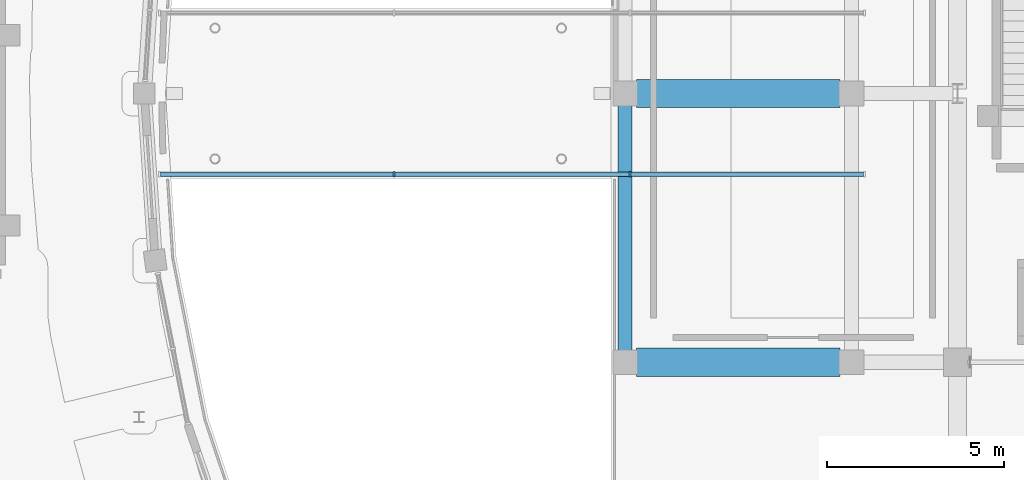
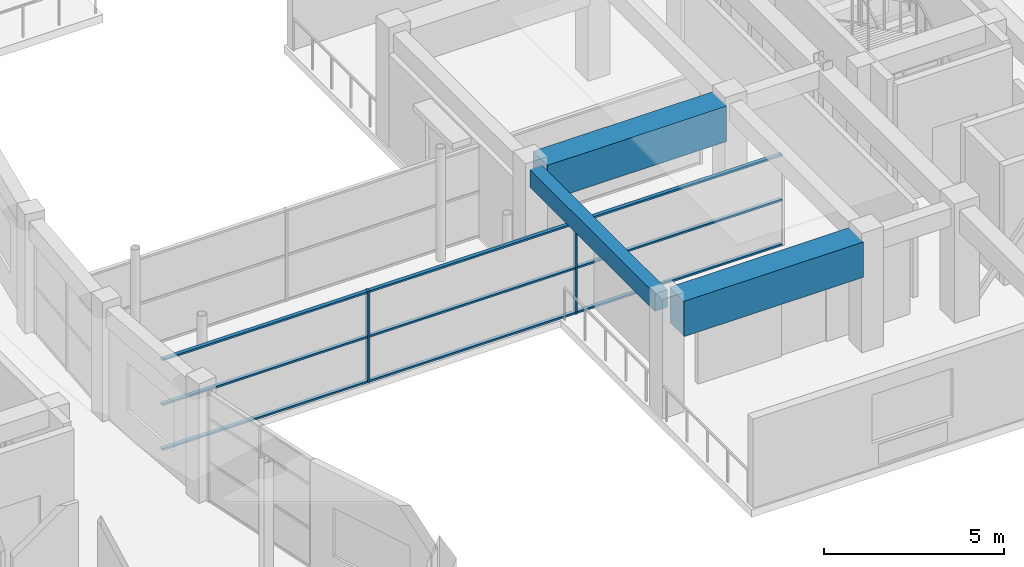
# One storey, part 18 of 70: 11 members, 3 beams, 1 element without a shape of its own.
"""IFC4 building model written with IfcOpenShell, lengths in metres."""

import ifcopenshell
import ifcopenshell.guid

model = None  # the IFC model being written
_history = None  # IfcOwnerHistory: only IFC2X3 demands one
_inside = {}  # id of a spatial element -> (the spatial element, [elements in it])
_under = {}  # id of a project, library or spatial element -> (it, [spatial elements below it])
_declared = {}  # id of a project -> (the project, [libraries it declares])
_typed = {}  # id of a type object -> (the type object, [elements of that type])
_made_of = {}  # id of a material, layer set ... -> (it, [elements and type objects made of it])


def new_model(schema):
    """Start an empty IFC model of exactly this schema.

    Asked for "IFC4X3", IfcOpenShell would pick the latest addendum, in which some entities
    have other attributes; the version numbers below select the first issue.
    IFC2X3 requires an IfcOwnerHistory on every rooted entity: one is made here for all.
    """
    global model, _history
    if schema == "IFC4X3":
        model = ifcopenshell.file(schema_version=(4, 3, 0, 0))
    else:
        model = ifcopenshell.file(schema=schema)
    _inside.clear()
    _under.clear()
    _declared.clear()
    _typed.clear()
    _made_of.clear()
    _history = None
    if model.schema == "IFC2X3":
        org = make("IfcOrganization", Name="unknown")
        user = make(
            "IfcPersonAndOrganization",
            ThePerson=make("IfcPerson", FamilyName="unknown"),
            TheOrganization=org,
        )
        app = make(
            "IfcApplication",
            ApplicationDeveloper=org,
            Version="unknown",
            ApplicationFullName="unknown",
            ApplicationIdentifier="unknown",
        )
        _history = make(
            "IfcOwnerHistory",
            OwningUser=user,
            OwningApplication=app,
            ChangeAction="ADDED",
            CreationDate=0,
        )
    return model


def make(cls, **values):
    """One entity of the class cls with the attributes given. An attribute that is None is left unset."""
    return model.create_entity(
        cls, **{name: value for name, value in values.items() if value is not None}
    )


def rooted(cls, **values):
    """An entity with a GlobalId (a new one), such as an element, a storey or a relation."""
    return make(cls, GlobalId=ifcopenshell.guid.new(), OwnerHistory=_history, **values)


def si_unit(unit_type, name, prefix=None):
    """IfcSIUnit, for example si_unit("LENGTHUNIT", "METRE", prefix="MILLI")."""
    return make("IfcSIUnit", UnitType=unit_type, Prefix=prefix, Name=name)


def assignment(units):
    """IfcUnitAssignment: the units of a project."""
    return None if units is None else make("IfcUnitAssignment", Units=units)


def point(xyz):
    """IfcCartesianPoint."""
    return None if xyz is None else make("IfcCartesianPoint", Coordinates=xyz)


def direction(xyz):
    """IfcDirection."""
    return None if xyz is None else make("IfcDirection", DirectionRatios=xyz)


def frame(location, z_axis=None, x_axis=None):
    """IfcAxis2Placement3D, a coordinate frame: its origin and axes. An axis left out is left unset."""
    return make(
        "IfcAxis2Placement3D",
        Location=point(location),
        Axis=direction(z_axis),
        RefDirection=direction(x_axis),
    )


def frame_2d(location, x_axis=None):
    """IfcAxis2Placement2D, a coordinate frame in the plane: its origin and x axis."""
    return make(
        "IfcAxis2Placement2D", Location=point(location), RefDirection=direction(x_axis)
    )


def origin():
    """The frame at (0, 0, 0) with its axes left unset."""
    return frame((0.0, 0.0, 0.0))


def origin_2d():
    """The frame at (0, 0) in the plane with its x axis left unset."""
    return frame_2d((0.0, 0.0))


def place(relative_to, where):
    """IfcLocalPlacement: puts the frame where relative to a parent placement (None: the world)."""
    return make(
        "IfcLocalPlacement", PlacementRelTo=relative_to, RelativePlacement=where
    )


def context(
    kind, dimensions, precision=None, world=None, true_north=None, identifier=None
):
    """IfcGeometricRepresentationContext, for example the 3D "Model" context."""
    return make(
        "IfcGeometricRepresentationContext",
        ContextIdentifier=identifier,
        ContextType=kind,
        CoordinateSpaceDimension=dimensions,
        Precision=precision,
        WorldCoordinateSystem=world,
        TrueNorth=true_north,
    )


def subcontext(parent, identifier, kind, view, scale=None):
    """IfcGeometricRepresentationSubContext, for example "Body" below "Model"."""
    return make(
        "IfcGeometricRepresentationSubContext",
        ContextIdentifier=identifier,
        ContextType=kind,
        ParentContext=parent,
        TargetScale=scale,
        TargetView=view,
    )


def project(units=None, contexts=None):
    """IfcProject with its units and contexts."""
    return rooted(
        "IfcProject",
        Name="project",
        RepresentationContexts=contexts,
        UnitsInContext=assignment(units),
    )


def spatial(cls, under=None, at=None, **own):
    """A site, building, storey or space (cls), placed at a placement, below another one or the project."""
    s = rooted(cls, ObjectPlacement=at, **own)
    if under is not None:
        _under.setdefault(under.id(), (under, []))[1].append(s)
    return s


def profile(cls, at=None, kind="AREA", **sizes):
    """A parametric profile (cls). Its sizes go by their IFC names, for example OverallWidth=200.0."""
    return make(cls, ProfileType=kind, Position=at, **sizes)


def rectangle(**sizes):
    """IfcRectangleProfileDef."""
    return profile("IfcRectangleProfileDef", **sizes)


def extrude(swept, where, along, depth):
    """IfcExtrudedAreaSolid: the profile swept, set in the frame where, extruded along a direction by depth."""
    return make(
        "IfcExtrudedAreaSolid",
        SweptArea=swept,
        Position=where,
        ExtrudedDirection=direction(along),
        Depth=depth,
    )


def shape(context_of_items, identifier, shape_type, items):
    """IfcShapeRepresentation: the items that make up one representation, for example the "Body"."""
    return make(
        "IfcShapeRepresentation",
        ContextOfItems=context_of_items,
        RepresentationIdentifier=identifier,
        RepresentationType=shape_type,
        Items=items,
    )


def material(Name=None, Category=None):
    """IfcMaterial."""
    return make("IfcMaterial", Name=Name, Category=Category)


def material_profile(
    of_material, cross_section, Name=None, Category=None, Priority=None
):
    """IfcMaterialProfile: a cross section and its material."""
    return make(
        "IfcMaterialProfile",
        Name=Name,
        Material=of_material,
        Profile=cross_section,
        Priority=Priority,
        Category=Category,
    )


def profile_set(profiles, Name=None, composite=None):
    """IfcMaterialProfileSet."""
    return make(
        "IfcMaterialProfileSet",
        Name=Name,
        MaterialProfiles=profiles,
        CompositeProfile=composite,
    )


def made_of(thing, what):
    """Note that an element or type object is made of a material, layer set ...; save() writes the relation."""
    if what is not None:
        _made_of.setdefault(what.id(), (what, []))[1].append(thing)
    return thing


def type_object(cls, material=None, **own):
    """A type object (cls), such as IfcWallType, which elements share."""
    return made_of(rooted(cls, **own), material)


def element(
    cls,
    number,
    at=None,
    inside=None,
    cuts=None,
    type_object=None,
    material=None,
    context=None,
    identifier="Body",
    shape_type=None,
    held_by="IfcProductDefinitionShape",
    body=None,
    shapes=None,
    **own,
):
    """One element of the class cls, such as IfcWall. Its Tag is "e" and its number.

    at: its placement. inside: the storey or other place that contains it. cuts: it is an
    opening in that element (IfcRelVoidsElement). A single representation is given by context,
    identifier, shape_type and body (its items); several are given by shapes. held_by: the class
    of the entity that holds the representations. save() writes the other relations.
    """
    e = rooted(cls, Tag="e%d" % number, ObjectPlacement=at, **own)
    if body is not None:
        shapes = [shape(context, identifier, shape_type, body)]
    if shapes is not None:
        e.Representation = make(held_by, Representations=shapes)
    if inside is not None:
        _inside.setdefault(inside.id(), (inside, []))[1].append(e)
    if cuts is not None:
        rooted(
            "IfcRelVoidsElement", RelatingBuildingElement=cuts, RelatedOpeningElement=e
        )
    if type_object is not None:
        _typed.setdefault(type_object.id(), (type_object, []))[1].append(e)
    return made_of(e, material)


def aggregate(whole, parts):
    """IfcRelAggregates: a whole, such as a stair, and the parts it consists of."""
    return rooted("IfcRelAggregates", RelatingObject=whole, RelatedObjects=parts)


def save(model, path):
    """Write the relations noted so far, then the file.

    IfcRelAggregates (storeys below a building ...), IfcRelContainedInSpatialStructure (elements
    in a storey), IfcRelDefinesByType, IfcRelAssociatesMaterial and IfcRelDeclares: one each for
    every whole, place, type object, material and project.
    """
    for whole, parts in _under.values():
        aggregate(whole, parts)
    for where, things in _inside.values():
        rooted(
            "IfcRelContainedInSpatialStructure",
            RelatedElements=things,
            RelatingStructure=where,
        )
    for kind, things in _typed.values():
        rooted("IfcRelDefinesByType", RelatedObjects=things, RelatingType=kind)
    for what, things in _made_of.values():
        rooted("IfcRelAssociatesMaterial", RelatedObjects=things, RelatingMaterial=what)
    for by, libraries in _declared.values():
        rooted("IfcRelDeclares", RelatingContext=by, RelatedDefinitions=libraries)
    model.write(path)


model = new_model("IFC4")

# Units and contexts
model_context = context("Model", 3, precision=1e-05, world=origin(), true_north=direction((0.0, 1.0)))
body_context = subcontext(model_context, "Body", "Model", "MODEL_VIEW")
ifc_project = project(units=[si_unit("LENGTHUNIT", "METRE"), si_unit("AREAUNIT", "SQUARE_METRE"), si_unit("VOLUMEUNIT", "CUBIC_METRE"), si_unit("PLANEANGLEUNIT", "RADIAN"), si_unit("MASSUNIT", "GRAM", prefix="KILO")], contexts=[model_context])

# Site, building, storey
site_placement = place(None, origin())
site = spatial("IfcSite", under=ifc_project, at=site_placement, CompositionType="ELEMENT")
building_placement = place(site_placement, origin())
building = spatial("IfcBuilding", under=site, at=building_placement, Name="Saryqyr Civic Hall", CompositionType="ELEMENT")
storey_placement = place(building_placement, frame((0.0, 0.0, 13.199951171875)))
storey = spatial("IfcBuildingStorey", under=building, at=storey_placement, Name="L03", CompositionType="ELEMENT", Elevation=13.199951171875)

# Curtain wall, members
ifc_material_1 = material(Name="Anodised aluminium and triple low-E glass", Category="aluminium")
curtain_wall_type = type_object("IfcCurtainWallType", Name="ENV-CW-STD-86", PredefinedType="NOTDEFINED", material=ifc_material_1)
curtain_wall_placement = place(storey_placement, origin())
curtain_wall = element("IfcCurtainWall", 1, at=curtain_wall_placement, inside=storey, type_object=curtain_wall_type, Name="Curtain wall BR-CW-CW1-L03", PredefinedType="NOTDEFINED")
ifc_material_2 = material(Name="Anodised aluminium", Category="aluminium")
ifc_material_profile_1 = material_profile(ifc_material_2, rectangle(XDim=0.06005859375, YDim=0.159912109375, at=origin_2d()), Name="ALU MULLION 60x160")
ifc_profile_set_1 = profile_set([ifc_material_profile_1], Name="Anodised aluminium")
member_type_1 = type_object("IfcMemberType", Name="ENV-CW-MUL-180", PredefinedType="MULLION", material=ifc_profile_set_1)
member_1_placement = place(storey_placement, frame((34.533447265625, 81.719970703125, 0.0), z_axis=(0.0, 0.0, 1.0), x_axis=(-1.0, 0.0, 0.0)))
member_1 = element("IfcMember", 2, at=member_1_placement, type_object=member_type_1, Name="CW-86 mullion 2", PredefinedType="MULLION", context=body_context, shape_type="SweptSolid", body=[
    extrude(rectangle(XDim=0.06005859375, YDim=0.159912109375, at=origin_2d()), origin(), (0.0, 0.0, 1.0), 3.10009765625),
])
member_2_placement = place(storey_placement, frame((27.86669921875, 81.719970703125, 0.0), z_axis=(0.0, 0.0, 1.0), x_axis=(-1.0, 0.0, 0.0)))
member_2 = element("IfcMember", 3, at=member_2_placement, type_object=member_type_1, Name="CW-86 mullion 3", PredefinedType="MULLION", context=body_context, shape_type="SweptSolid", body=[
    extrude(rectangle(XDim=0.06005859375, YDim=0.159912109375, at=origin_2d()), origin(), (0.0, 0.0, 1.0), 3.10009765625),
])
ifc_material_profile_2 = material_profile(ifc_material_2, rectangle(XDim=0.1201171875, YDim=0.06005859375, at=origin_2d()), Name="ALU TRANSOM 120x60")
ifc_profile_set_2 = profile_set([ifc_material_profile_2], Name="Anodised aluminium")
member_type_2 = type_object("IfcMemberType", Name="ENV-CW-TRN-150", PredefinedType="USERDEFINED", material=ifc_profile_set_2)
member_3_placement = place(storey_placement, frame((41.139892578125, 81.719970703125, 0.030029296875), z_axis=(-1.0, 0.0, 0.0), x_axis=(0.0, -1.0, 0.0)))
member_3 = element("IfcMember", 4, at=member_3_placement, type_object=member_type_2, Name="CW-86 transom 1.1", ObjectType="TRANSOM", PredefinedType="USERDEFINED", context=body_context, shape_type="SweptSolid", body=[
    extrude(rectangle(XDim=0.1201171875, YDim=0.06005859375, at=origin_2d()), origin(), (0.0, 0.0, 1.0), 6.57666015625),
])
member_4_placement = place(storey_placement, frame((41.139892578125, 81.719970703125, 1.550048828125), z_axis=(-1.0, 0.0, 0.0), x_axis=(0.0, -1.0, 0.0)))
member_4 = element("IfcMember", 5, at=member_4_placement, type_object=member_type_2, Name="CW-86 transom 1.2", ObjectType="TRANSOM", PredefinedType="USERDEFINED", context=body_context, shape_type="SweptSolid", body=[
    extrude(rectangle(XDim=0.1201171875, YDim=0.06005859375, at=origin_2d()), origin(), (0.0, 0.0, 1.0), 6.57666015625),
])
member_5_placement = place(storey_placement, frame((41.139892578125, 81.719970703125, 3.070068359375), z_axis=(-1.0, 0.0, 0.0), x_axis=(0.0, -1.0, 0.0)))
member_5 = element("IfcMember", 6, at=member_5_placement, type_object=member_type_2, Name="CW-86 transom 1.3", ObjectType="TRANSOM", PredefinedType="USERDEFINED", context=body_context, shape_type="SweptSolid", body=[
    extrude(rectangle(XDim=0.1201171875, YDim=0.06005859375, at=origin_2d()), origin(), (0.0, 0.0, 1.0), 6.57666015625),
])
member_6_placement = place(storey_placement, frame((34.50341796875, 81.719970703125, 0.030029296875), z_axis=(-1.0, 0.0, 0.0), x_axis=(0.0, -1.0, 0.0)))
member_6 = element("IfcMember", 7, at=member_6_placement, type_object=member_type_2, Name="CW-86 transom 2.1", ObjectType="TRANSOM", PredefinedType="USERDEFINED", context=body_context, shape_type="SweptSolid", body=[
    extrude(rectangle(XDim=0.1201171875, YDim=0.06005859375, at=origin_2d()), origin(), (0.0, 0.0, 1.0), 6.606689453125),
])
member_7_placement = place(storey_placement, frame((34.50341796875, 81.719970703125, 1.550048828125), z_axis=(-1.0, 0.0, 0.0), x_axis=(0.0, -1.0, 0.0)))
member_7 = element("IfcMember", 8, at=member_7_placement, type_object=member_type_2, Name="CW-86 transom 2.2", ObjectType="TRANSOM", PredefinedType="USERDEFINED", context=body_context, shape_type="SweptSolid", body=[
    extrude(rectangle(XDim=0.1201171875, YDim=0.06005859375, at=origin_2d()), origin(), (0.0, 0.0, 1.0), 6.606689453125),
])
member_8_placement = place(storey_placement, frame((34.50341796875, 81.719970703125, 3.070068359375), z_axis=(-1.0, 0.0, 0.0), x_axis=(0.0, -1.0, 0.0)))
member_8 = element("IfcMember", 9, at=member_8_placement, type_object=member_type_2, Name="CW-86 transom 2.3", ObjectType="TRANSOM", PredefinedType="USERDEFINED", context=body_context, shape_type="SweptSolid", body=[
    extrude(rectangle(XDim=0.1201171875, YDim=0.06005859375, at=origin_2d()), origin(), (0.0, 0.0, 1.0), 6.606689453125),
])
member_9_placement = place(storey_placement, frame((27.836669921875, 81.719970703125, 0.030029296875), z_axis=(-1.0, 0.0, 0.0), x_axis=(0.0, -1.0, 0.0)))
member_9 = element("IfcMember", 10, at=member_9_placement, type_object=member_type_2, Name="CW-86 transom 3.1", ObjectType="TRANSOM", PredefinedType="USERDEFINED", context=body_context, shape_type="SweptSolid", body=[
    extrude(rectangle(XDim=0.1201171875, YDim=0.06005859375, at=origin_2d()), origin(), (0.0, 0.0, 1.0), 6.57666015625),
])
member_10_placement = place(storey_placement, frame((27.836669921875, 81.719970703125, 1.550048828125), z_axis=(-1.0, 0.0, 0.0), x_axis=(0.0, -1.0, 0.0)))
member_10 = element("IfcMember", 11, at=member_10_placement, type_object=member_type_2, Name="CW-86 transom 3.2", ObjectType="TRANSOM", PredefinedType="USERDEFINED", context=body_context, shape_type="SweptSolid", body=[
    extrude(rectangle(XDim=0.1201171875, YDim=0.06005859375, at=origin_2d()), origin(), (0.0, 0.0, 1.0), 6.57666015625),
])
member_11_placement = place(storey_placement, frame((27.836669921875, 81.719970703125, 3.070068359375), z_axis=(-1.0, 0.0, 0.0), x_axis=(0.0, -1.0, 0.0)))
member_11 = element("IfcMember", 12, at=member_11_placement, type_object=member_type_2, Name="CW-86 transom 3.3", ObjectType="TRANSOM", PredefinedType="USERDEFINED", context=body_context, shape_type="SweptSolid", body=[
    extrude(rectangle(XDim=0.1201171875, YDim=0.06005859375, at=origin_2d()), origin(), (0.0, 0.0, 1.0), 6.57666015625),
])
aggregate(curtain_wall, [member_1, member_2, member_3, member_4, member_5, member_6, member_7, member_8, member_9, member_10, member_11])

# Beams
ifc_material_3 = material(Name="Concrete C35/45", Category="concrete")
ifc_material_profile_3 = material_profile(ifc_material_3, rectangle(XDim=0.39990234375, YDim=0.60009765625, at=origin_2d()), Name="RC 400x600")
ifc_profile_set_3 = profile_set([ifc_material_profile_3], Name="Concrete C35/45")
beam_type_1 = type_object("IfcBeamType", Name="STR-BM-RC400x600", PredefinedType="BEAM", material=ifc_profile_set_3)
beam_placement = place(storey_placement, frame((34.39990234375, 76.72509765625, 3.489990234375), z_axis=(0.0, 1.0, 0.0), x_axis=(-1.0, 0.0, 0.0)))
element("IfcBeam", 13, at=beam_placement, inside=storey, type_object=beam_type_1, Name="Beam V1-TBM-01-L03", PredefinedType="BEAM", context=body_context, shape_type="SweptSolid", body=[
    extrude(rectangle(XDim=0.39990234375, YDim=0.60009765625, at=origin_2d()), origin(), (0.0, 0.0, 1.0), 6.949951171875),
])
ifc_material_4 = material(Name="Concrete C40/50", Category="concrete")
ifc_material_profile_4 = material_profile(ifc_material_4, rectangle(XDim=0.800048828125, YDim=1.199951171875, at=origin_2d()), Name="RC 800x1200")
ifc_profile_set_4 = profile_set([ifc_material_profile_4], Name="Concrete C40/50")
beam_type_2 = type_object("IfcBeamType", Name="STR-TG-RC800x1200", PredefinedType="USERDEFINED", material=ifc_profile_set_4)
for number, where, z_axis, x_axis, name in (
    (14, (34.72509765625, 76.39990234375, 3.18994140625), (1.0, 0.0, 0.0), (0.0, 1.0, 0.0), "Beam V1-TG-W1-L03"),
    (15, (34.72509765625, 84.0, 3.18994140625), (1.0, 0.0, 0.0), (0.0, 1.0, 0.0), "Beam V1-TG-W2-L03"),
):
    element("IfcBeam", number, at=place(storey_placement, frame(where, z_axis=z_axis, x_axis=x_axis)), inside=storey, type_object=beam_type_2, Name=name, ObjectType="TRANSFER_GIRDER", PredefinedType="USERDEFINED", context=body_context, shape_type="SweptSolid", body=[
        extrude(rectangle(XDim=0.800048828125, YDim=1.199951171875, at=origin_2d()), origin(), (0.0, 0.0, 1.0), 5.75),
    ])

save(model, "model.ifc")
